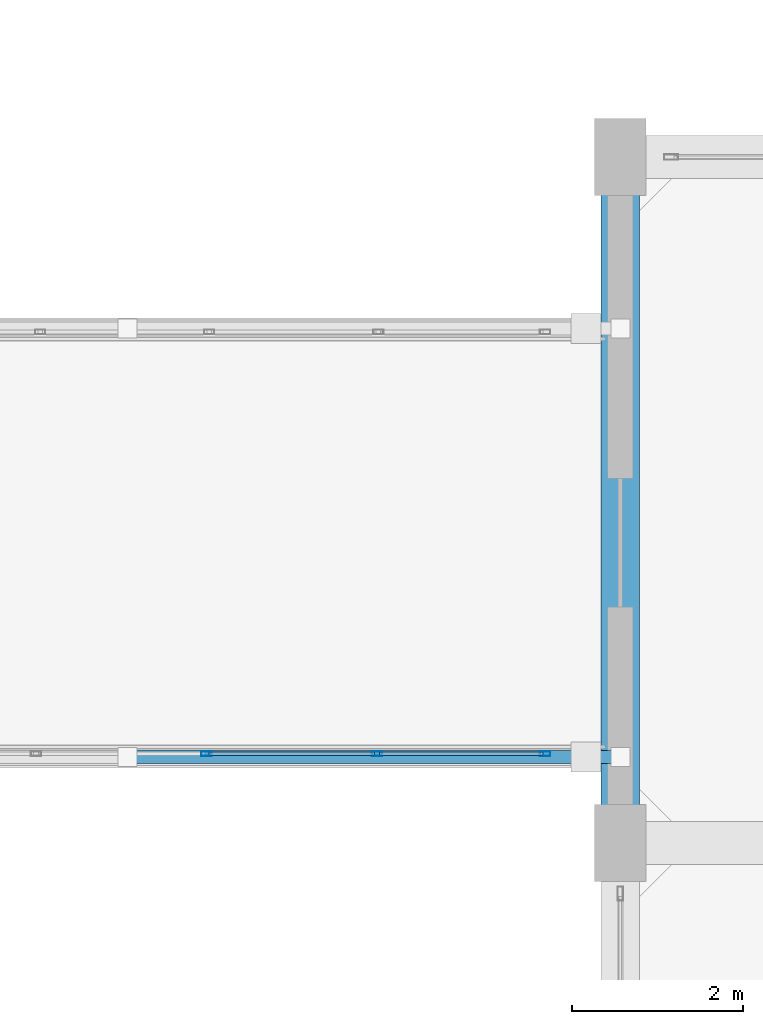
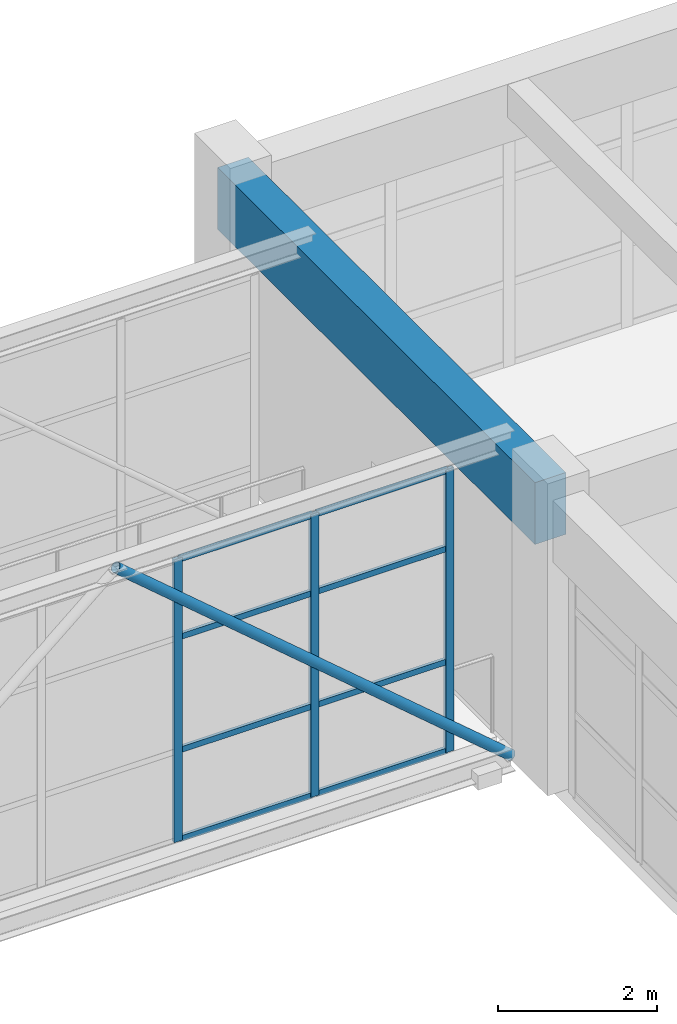
# One storey, part 174 of 248: 12 members, 1 beam, 1 element without a shape of its own.
"""IFC4 building model written with IfcOpenShell, lengths in metres."""

from ifc_helpers import new_model, si_unit, direction, frame, origin, origin_2d, place, context, subcontext, project, spatial, rectangle, hollow_rectangle, hollow_circle, extrude, material, layer, layer_set, material_profile, profile_set, type_object, element, aggregate, save


model = new_model("IFC4")

# Units and contexts
model_context = context("Model", 3, precision=1e-05, world=origin(), true_north=direction((0.0, 1.0)))
body_context = subcontext(model_context, "Body", "Model", "MODEL_VIEW")
ifc_project = project(units=[si_unit("LENGTHUNIT", "METRE"), si_unit("AREAUNIT", "SQUARE_METRE"), si_unit("VOLUMEUNIT", "CUBIC_METRE"), si_unit("PLANEANGLEUNIT", "RADIAN"), si_unit("MASSUNIT", "GRAM", prefix="KILO")], contexts=[model_context])

# Site, building, storey
site_placement = place(None, origin())
site = spatial("IfcSite", under=ifc_project, at=site_placement, CompositionType="ELEMENT")
building_placement = place(site_placement, origin())
building = spatial("IfcBuilding", under=site, at=building_placement, Name="Canggui Botanical Conservatory", CompositionType="ELEMENT")
storey_placement = place(building_placement, frame((0.0, 0.0, 5.39990234375)))
storey = spatial("IfcBuildingStorey", under=building, at=storey_placement, Name="L02", CompositionType="ELEMENT", Elevation=5.39990234375)

# Beam
ifc_material_1 = material(Name="Concrete C35", Category="concrete")
ifc_material_profile_1 = material_profile(ifc_material_1, rectangle(XDim=0.449951171875, YDim=0.949951171875, at=origin_2d()), Name="RB 450x950")
ifc_profile_set_1 = profile_set([ifc_material_profile_1], Name="Concrete C35")
beam_type = type_object("IfcBeamType", Name="BM-KL04", PredefinedType="BEAM", material=ifc_profile_set_1)
beam_placement = place(storey_placement, frame((130.0, 74.0, 4.045166015625), z_axis=(0.0, 1.0, 0.0), x_axis=(-1.0, 0.0, 0.0)))
element("IfcBeam", 1, at=beam_placement, inside=storey, type_object=beam_type, Name="Frame Girder L02 X130-7", PredefinedType="BEAM", context=body_context, shape_type="SweptSolid", body=[
    extrude(rectangle(XDim=0.449951171875, YDim=0.949951171875, at=origin_2d()), origin(), (0.0, 0.0, 1.0), 8.0),
])

# Curtain wall, members
ifc_material_2 = material(Name="Thermally Broken Aluminium", Category="aluminium")
ifc_layer = layer(ifc_material_2, 0.1201171875, Name="Thermally Broken Aluminium", Category="aluminium")
ifc_layer_set = layer_set([ifc_layer], Name="Thermally Broken Aluminium")
curtain_wall_type = type_object("IfcCurtainWallType", Name="CW-STICK-B", PredefinedType="USERDEFINED", material=ifc_layer_set)
curtain_wall_placement = place(storey_placement, origin())
curtain_wall = element("IfcCurtainWall", 2, at=curtain_wall_placement, inside=storey, type_object=curtain_wall_type, Name="Facade Curtain Wall CW-SB-04-1", ObjectType="STICK GLAZED WALL", PredefinedType="USERDEFINED")
ifc_material_profile_2 = material_profile(ifc_material_2, hollow_rectangle(XDim=0.054931640625, YDim=0.1201171875, WallThickness=0.0029296875, at=origin_2d()), Name="CWM 55x120x3")
ifc_profile_set_2 = profile_set([ifc_material_profile_2], Name="Thermally Broken Aluminium")
member_type_1 = type_object("IfcMemberType", Name="CWM-05", PredefinedType="MULLION", material=ifc_profile_set_2)
member_1_placement = place(storey_placement, frame((125.17138671875, 75.0400390625, 0.0), z_axis=(0.0, 0.0, 1.0), x_axis=(0.0, 1.0, 0.0)))
member_1 = element("IfcMember", 3, at=member_1_placement, type_object=member_type_1, Name="CW-05 mullion 30", PredefinedType="MULLION", context=body_context, shape_type="SweptSolid", body=[
    extrude(hollow_rectangle(XDim=0.054931640625, YDim=0.1201171875, WallThickness=0.0029296875, at=origin_2d()), origin(), (0.0, 0.0, 1.0), 4.35009765625),
])
member_2_placement = place(storey_placement, frame((127.16064453125, 75.0400390625, 0.0), z_axis=(0.0, 0.0, 1.0), x_axis=(0.0, 1.0, 0.0)))
member_2 = element("IfcMember", 4, at=member_2_placement, type_object=member_type_1, Name="CW-05 mullion 31", PredefinedType="MULLION", context=body_context, shape_type="SweptSolid", body=[
    extrude(hollow_rectangle(XDim=0.054931640625, YDim=0.1201171875, WallThickness=0.0029296875, at=origin_2d()), origin(), (0.0, 0.0, 1.0), 4.35009765625),
])
member_3_placement = place(storey_placement, frame((129.12255859375, 75.0400390625, 0.0), z_axis=(0.0, 0.0, 1.0), x_axis=(0.0, 1.0, 0.0)))
member_3 = element("IfcMember", 5, at=member_3_placement, type_object=member_type_1, Name="CW-05 mullion 32", PredefinedType="MULLION", context=body_context, shape_type="SweptSolid", body=[
    extrude(hollow_rectangle(XDim=0.054931640625, YDim=0.1201171875, WallThickness=0.0029296875, at=origin_2d()), origin(), (0.0, 0.0, 1.0), 4.35009765625),
])
ifc_material_profile_3 = material_profile(ifc_material_2, hollow_rectangle(XDim=0.044921875, YDim=0.090087890625, WallThickness=0.0029296875, at=origin_2d()), Name="CWT 45x90x3")
ifc_profile_set_3 = profile_set([ifc_material_profile_3], Name="Thermally Broken Aluminium")
member_type_2 = type_object("IfcMemberType", Name="CWT-05", PredefinedType="USERDEFINED", material=ifc_profile_set_3)
member_4_placement = place(storey_placement, frame((125.19873046875, 75.0400390625, 0.022705078125), z_axis=(1.0, 0.0, 0.0), x_axis=(0.0, 1.0, 0.0)))
member_4 = element("IfcMember", 6, at=member_4_placement, type_object=member_type_2, Name="CW-05 transom 30.1", ObjectType="TRANSOM", PredefinedType="USERDEFINED", context=body_context, shape_type="SweptSolid", body=[
    extrude(hollow_rectangle(XDim=0.044921875, YDim=0.090087890625, WallThickness=0.0029296875, at=origin_2d()), origin(), (0.0, 0.0, 1.0), 1.934326171875),
])
member_5_placement = place(storey_placement, frame((125.19873046875, 75.0400390625, 1.39208984375), z_axis=(1.0, 0.0, 0.0), x_axis=(0.0, 1.0, 0.0)))
member_5 = element("IfcMember", 7, at=member_5_placement, type_object=member_type_2, Name="CW-05 transom 30.2", ObjectType="TRANSOM", PredefinedType="USERDEFINED", context=body_context, shape_type="SweptSolid", body=[
    extrude(hollow_rectangle(XDim=0.044921875, YDim=0.090087890625, WallThickness=0.0029296875, at=origin_2d()), origin(), (0.0, 0.0, 1.0), 1.934326171875),
])
member_6_placement = place(storey_placement, frame((125.19873046875, 75.0400390625, 3.132080078125), z_axis=(1.0, 0.0, 0.0), x_axis=(0.0, 1.0, 0.0)))
member_6 = element("IfcMember", 8, at=member_6_placement, type_object=member_type_2, Name="CW-05 transom 30.3", ObjectType="TRANSOM", PredefinedType="USERDEFINED", context=body_context, shape_type="SweptSolid", body=[
    extrude(hollow_rectangle(XDim=0.044921875, YDim=0.090087890625, WallThickness=0.0029296875, at=origin_2d()), origin(), (0.0, 0.0, 1.0), 1.934326171875),
])
member_7_placement = place(storey_placement, frame((125.19873046875, 75.0400390625, 4.32763671875), z_axis=(1.0, 0.0, 0.0), x_axis=(0.0, 1.0, 0.0)))
member_7 = element("IfcMember", 9, at=member_7_placement, type_object=member_type_2, Name="CW-05 transom 30.4", ObjectType="TRANSOM", PredefinedType="USERDEFINED", context=body_context, shape_type="SweptSolid", body=[
    extrude(hollow_rectangle(XDim=0.044921875, YDim=0.090087890625, WallThickness=0.0029296875, at=origin_2d()), origin(), (0.0, 0.0, 1.0), 1.934326171875),
])
member_8_placement = place(storey_placement, frame((127.188232421875, 75.0400390625, 0.022705078125), z_axis=(1.0, 0.0, 0.0), x_axis=(0.0, 1.0, 0.0)))
member_8 = element("IfcMember", 10, at=member_8_placement, type_object=member_type_2, Name="CW-05 transom 31.1", ObjectType="TRANSOM", PredefinedType="USERDEFINED", context=body_context, shape_type="SweptSolid", body=[
    extrude(hollow_rectangle(XDim=0.044921875, YDim=0.090087890625, WallThickness=0.0029296875, at=origin_2d()), origin(), (0.0, 0.0, 1.0), 1.90673828125),
])
member_9_placement = place(storey_placement, frame((127.188232421875, 75.0400390625, 1.39208984375), z_axis=(1.0, 0.0, 0.0), x_axis=(0.0, 1.0, 0.0)))
member_9 = element("IfcMember", 11, at=member_9_placement, type_object=member_type_2, Name="CW-05 transom 31.2", ObjectType="TRANSOM", PredefinedType="USERDEFINED", context=body_context, shape_type="SweptSolid", body=[
    extrude(hollow_rectangle(XDim=0.044921875, YDim=0.090087890625, WallThickness=0.0029296875, at=origin_2d()), origin(), (0.0, 0.0, 1.0), 1.90673828125),
])
member_10_placement = place(storey_placement, frame((127.188232421875, 75.0400390625, 3.132080078125), z_axis=(1.0, 0.0, 0.0), x_axis=(0.0, 1.0, 0.0)))
member_10 = element("IfcMember", 12, at=member_10_placement, type_object=member_type_2, Name="CW-05 transom 31.3", ObjectType="TRANSOM", PredefinedType="USERDEFINED", context=body_context, shape_type="SweptSolid", body=[
    extrude(hollow_rectangle(XDim=0.044921875, YDim=0.090087890625, WallThickness=0.0029296875, at=origin_2d()), origin(), (0.0, 0.0, 1.0), 1.90673828125),
])
member_11_placement = place(storey_placement, frame((127.188232421875, 75.0400390625, 4.32763671875), z_axis=(1.0, 0.0, 0.0), x_axis=(0.0, 1.0, 0.0)))
member_11 = element("IfcMember", 13, at=member_11_placement, type_object=member_type_2, Name="CW-05 transom 31.4", ObjectType="TRANSOM", PredefinedType="USERDEFINED", context=body_context, shape_type="SweptSolid", body=[
    extrude(hollow_rectangle(XDim=0.044921875, YDim=0.090087890625, WallThickness=0.0029296875, at=origin_2d()), origin(), (0.0, 0.0, 1.0), 1.90673828125),
])
aggregate(curtain_wall, [member_1, member_2, member_3, member_4, member_5, member_6, member_7, member_8, member_9, member_10, member_11])

# Member
ifc_material_3 = material(Name="Steel Q355C", Category="steel")
ifc_material_profile_4 = material_profile(ifc_material_3, hollow_circle(Radius=0.075927734375, WallThickness=0.006103515625, at=origin_2d()), Name="CHS 152x6")
ifc_profile_set_4 = profile_set([ifc_material_profile_4], Name="Steel Q355C")
member_type_3 = type_object("IfcMemberType", Name="MEM-GSD04", PredefinedType="RAFTER", material=ifc_profile_set_4)
member_12_placement = place(storey_placement, frame((124.25, 75.0, 4.550048828125), z_axis=(0.761128593641, 0.0, -0.648601005196), x_axis=(0.0, 1.0, 0.0)))
element("IfcMember", 14, at=member_12_placement, inside=storey, type_object=member_type_3, Name="SB-04 Truss Web Rafter 1.9B", PredefinedType="RAFTER", context=body_context, shape_type="SweptSolid", body=[
    extrude(hollow_circle(Radius=0.075927734375, WallThickness=0.006103515625, at=origin_2d()), origin(), (0.0, 0.0, 1.0), 7.5546875),
])

save(model, "model.ifc")
